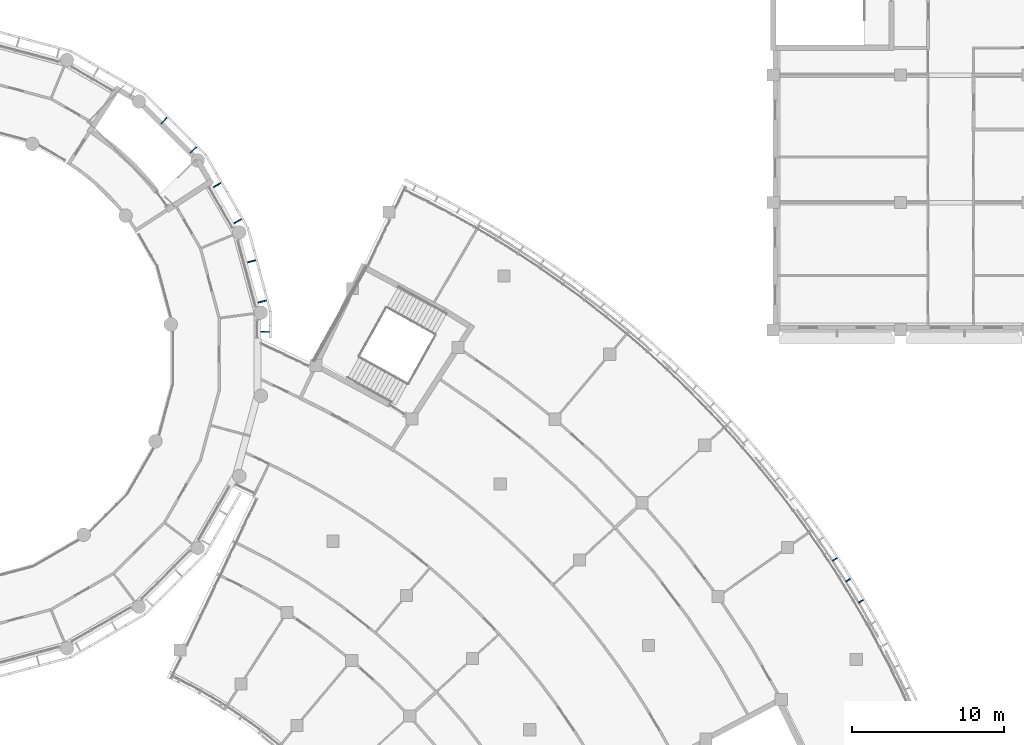
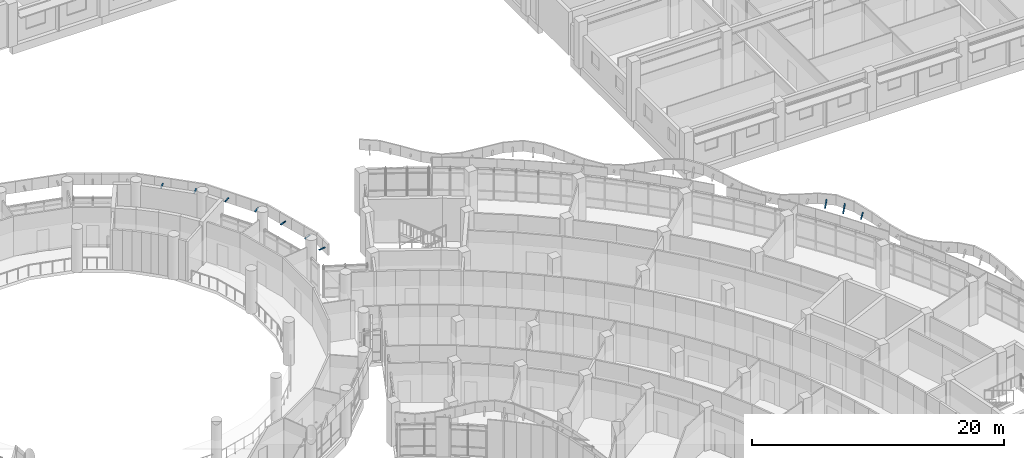
# One storey, part 85 of 109: 10 discrete accessories.
"""IFC4 building model written with IfcOpenShell, lengths in metres."""

from ifc_helpers import new_model, si_unit, direction, frame, origin, origin_2d, place, context, subcontext, project, spatial, rectangle, extrude, material, material_profile, profile_set, type_object, element, save


model = new_model("IFC4")

# Units and contexts
model_context = context("Model", 3, precision=1e-05, world=origin(), true_north=direction((0.0, 1.0)))
body_context = subcontext(model_context, "Body", "Model", "MODEL_VIEW")
ifc_project = project(units=[si_unit("LENGTHUNIT", "METRE"), si_unit("AREAUNIT", "SQUARE_METRE"), si_unit("VOLUMEUNIT", "CUBIC_METRE"), si_unit("PLANEANGLEUNIT", "RADIAN"), si_unit("MASSUNIT", "GRAM", prefix="KILO")], contexts=[model_context])

# Site, building, storey
site_placement = place(None, origin())
site = spatial("IfcSite", under=ifc_project, at=site_placement, CompositionType="ELEMENT")
building_placement = place(site_placement, origin())
building = spatial("IfcBuilding", under=site, at=building_placement, Name="Bougainvillea Quay General Hospital", CompositionType="ELEMENT")
storey_placement = place(building_placement, frame((0.0, 0.0, 12.60009765625)))
storey = spatial("IfcBuildingStorey", under=building, at=storey_placement, Name="L02", CompositionType="ELEMENT", Elevation=12.60009765625)

# Discrete accessories
ifc_material = material(Name="Stainless steel bracket, grade 316", Category="steel")
ifc_material_profile = material_profile(ifc_material, rectangle(XDim=0.080078125, YDim=0.050048828125, at=origin_2d()))
ifc_profile_set = profile_set([ifc_material_profile], Name="Stainless steel bracket, grade 316")
discrete_accessory_type = type_object("IfcDiscreteAccessoryType", Name="Stainless steel stand-off bracket 80x50", PredefinedType="BRACKET", material=ifc_profile_set)
discrete_accessory_1_placement = place(storey_placement, frame((169.450439453125, 57.626953125, 4.139892578125), z_axis=(0.445969849038, 0.263872519374, 0.855267319186), x_axis=(-0.509222533349, 0.860634888631, 0.0)))
element("IfcDiscreteAccessory", 1, at=discrete_accessory_1_placement, inside=storey, type_object=discrete_accessory_type, Name="Fascia bracket a23 19", PredefinedType="BRACKET", context=body_context, shape_type="SweptSolid", body=[
    extrude(rectangle(XDim=0.080078125, YDim=0.050048828125, at=origin_2d()), origin(), (0.0, 0.0, 1.0), 0.5791015625),
])
discrete_accessory_2_placement = place(storey_placement, frame((168.607666015625, 59.015380859375, 4.139892578125), z_axis=(0.301232314432, 0.187728671506, 0.9348887841), x_axis=(-0.528901380348, 0.84868329185, 0.0)))
element("IfcDiscreteAccessory", 2, at=discrete_accessory_2_placement, inside=storey, type_object=discrete_accessory_type, Name="Fascia bracket a23 20", PredefinedType="BRACKET", context=body_context, shape_type="SweptSolid", body=[
    extrude(rectangle(XDim=0.080078125, YDim=0.050048828125, at=origin_2d()), origin(), (0.0, 0.0, 1.0), 0.84521484375),
])
discrete_accessory_3_placement = place(storey_placement, frame((167.732666015625, 60.3837890625, 4.139892578125), z_axis=(0.343668795828, 0.225323704657, 0.911658371811), x_axis=(-0.548301004953, 0.836281057999, 0.0)))
element("IfcDiscreteAccessory", 3, at=discrete_accessory_3_placement, inside=storey, type_object=discrete_accessory_type, Name="Fascia bracket a23 21", PredefinedType="BRACKET", context=body_context, shape_type="SweptSolid", body=[
    extrude(rectangle(XDim=0.080078125, YDim=0.050048828125, at=origin_2d()), origin(), (0.0, 0.0, 1.0), 0.730224609375),
])
for number, where, z_axis, x_axis, name in (
    (4, (130.02001953125, 75.480224609375, 4.139892578125), (0.994091793559, 0.0, 0.108542645901), (0.0, 1.0, 0.0), "Fascia bracket e1 1"),
    (5, (129.842529296875, 77.40283203125, 4.139892578125), (0.96022399879, 0.257265896735, 0.108554735157), (-0.258795254151, 0.965932200741, 0.0), "Fascia bracket e1 3"),
    (6, (129.133056640625, 80.05029296875, 4.139892578125), (0.96022399879, 0.257265896735, 0.108554735157), (-0.258795254151, 0.965932200741, 0.0), "Fascia bracket e1 5"),
):
    element("IfcDiscreteAccessory", number, at=place(storey_placement, frame(where, z_axis=z_axis, x_axis=x_axis)), inside=storey, type_object=discrete_accessory_type, Name=name, PredefinedType="BRACKET", context=body_context, shape_type="SweptSolid", body=[
        extrude(rectangle(XDim=0.080078125, YDim=0.050048828125, at=origin_2d()), origin(), (0.0, 0.0, 1.0), 0.55322265625),
    ])
for number, where, z_axis, x_axis, name in (
    (7, (128.25830078125, 82.62939453125, 4.139892578125), (0.860796598273, 0.497241294851, 0.108537141556), (-0.500196256984, 0.865912065108, 0.0), "Fascia bracket e1 7"),
    (8, (126.887939453125, 85.00341796875, 4.139892578125), (0.860796598273, 0.497241294851, 0.108537141556), (-0.500196256984, 0.865912065108, 0.0), "Fascia bracket e1 9"),
):
    element("IfcDiscreteAccessory", number, at=place(storey_placement, frame(where, z_axis=z_axis, x_axis=x_axis)), inside=storey, type_object=discrete_accessory_type, Name=name, PredefinedType="BRACKET", context=body_context, shape_type="SweptSolid", body=[
        extrude(rectangle(XDim=0.080078125, YDim=0.050048828125, at=origin_2d()), origin(), (0.0, 0.0, 1.0), 0.553466796875),
    ])
for number, where, z_axis, x_axis, name in (
    (9, (125.37548828125, 87.2685546875, 4.139892578125), (0.702928468265, 0.702928468265, 0.108550158941), (-0.707106781187, 0.707106781187, 0.0), "Fascia bracket e1 11"),
    (10, (123.4375, 89.20654296875, 4.139892578125), (0.702928468265, 0.702928468265, 0.108550158941), (-0.707106781187, 0.707106781187, 0.0), "Fascia bracket e1 13"),
):
    element("IfcDiscreteAccessory", number, at=place(storey_placement, frame(where, z_axis=z_axis, x_axis=x_axis)), inside=storey, type_object=discrete_accessory_type, Name=name, PredefinedType="BRACKET", context=body_context, shape_type="SweptSolid", body=[
        extrude(rectangle(XDim=0.080078125, YDim=0.050048828125, at=origin_2d()), origin(), (0.0, 0.0, 1.0), 0.55322265625),
    ])

save(model, "model.ifc")
